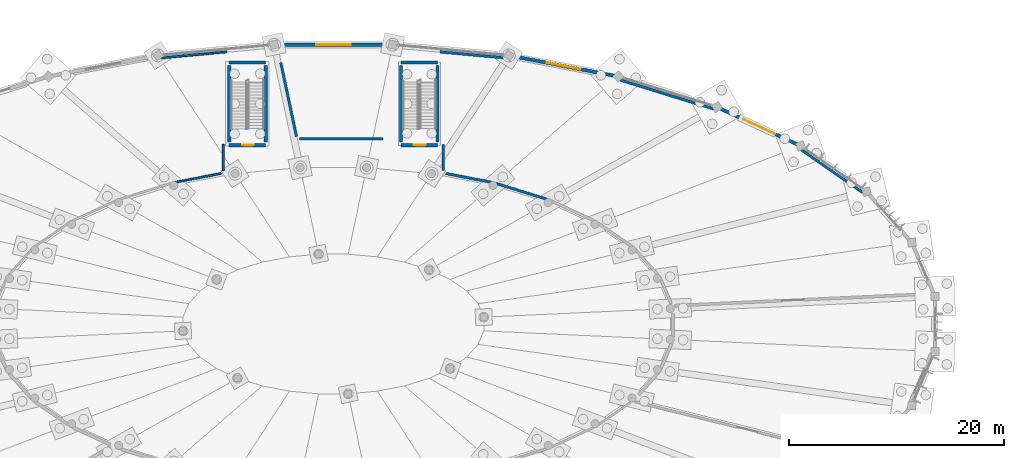
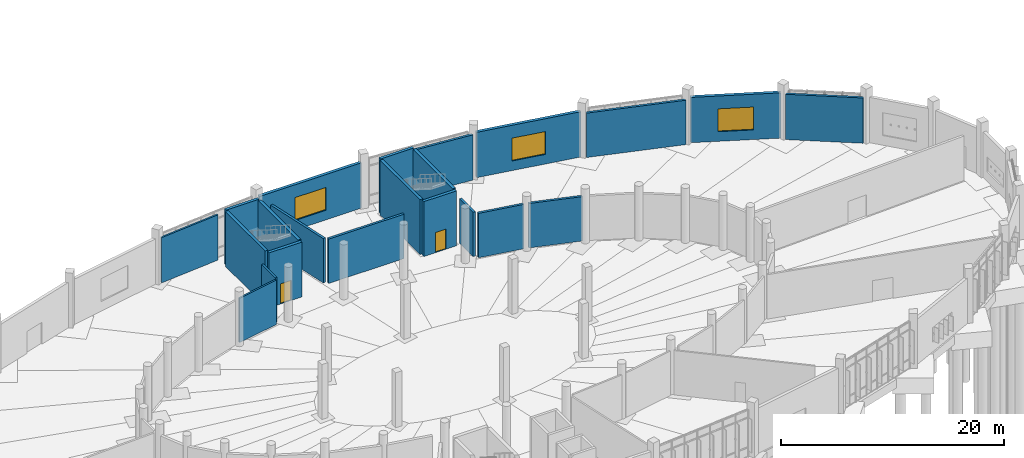
# One storey, part 95 of 140: 22 walls, 3 windows, 2 doors, 5 openings.
"""IFC4 building model written with IfcOpenShell, lengths in metres."""

import ifcopenshell
import ifcopenshell.guid

model = None  # the IFC model being written
_history = None  # IfcOwnerHistory: only IFC2X3 demands one
_inside = {}  # id of a spatial element -> (the spatial element, [elements in it])
_under = {}  # id of a project, library or spatial element -> (it, [spatial elements below it])
_declared = {}  # id of a project -> (the project, [libraries it declares])
_typed = {}  # id of a type object -> (the type object, [elements of that type])
_made_of = {}  # id of a material, layer set ... -> (it, [elements and type objects made of it])


def new_model(schema):
    """Start an empty IFC model of exactly this schema.

    Asked for "IFC4X3", IfcOpenShell would pick the latest addendum, in which some entities
    have other attributes; the version numbers below select the first issue.
    IFC2X3 requires an IfcOwnerHistory on every rooted entity: one is made here for all.
    """
    global model, _history
    if schema == "IFC4X3":
        model = ifcopenshell.file(schema_version=(4, 3, 0, 0))
    else:
        model = ifcopenshell.file(schema=schema)
    _inside.clear()
    _under.clear()
    _declared.clear()
    _typed.clear()
    _made_of.clear()
    _history = None
    if model.schema == "IFC2X3":
        org = make("IfcOrganization", Name="unknown")
        user = make(
            "IfcPersonAndOrganization",
            ThePerson=make("IfcPerson", FamilyName="unknown"),
            TheOrganization=org,
        )
        app = make(
            "IfcApplication",
            ApplicationDeveloper=org,
            Version="unknown",
            ApplicationFullName="unknown",
            ApplicationIdentifier="unknown",
        )
        _history = make(
            "IfcOwnerHistory",
            OwningUser=user,
            OwningApplication=app,
            ChangeAction="ADDED",
            CreationDate=0,
        )
    return model


def make(cls, **values):
    """One entity of the class cls with the attributes given. An attribute that is None is left unset."""
    return model.create_entity(
        cls, **{name: value for name, value in values.items() if value is not None}
    )


def rooted(cls, **values):
    """An entity with a GlobalId (a new one), such as an element, a storey or a relation."""
    return make(cls, GlobalId=ifcopenshell.guid.new(), OwnerHistory=_history, **values)


def si_unit(unit_type, name, prefix=None):
    """IfcSIUnit, for example si_unit("LENGTHUNIT", "METRE", prefix="MILLI")."""
    return make("IfcSIUnit", UnitType=unit_type, Prefix=prefix, Name=name)


def assignment(units):
    """IfcUnitAssignment: the units of a project."""
    return None if units is None else make("IfcUnitAssignment", Units=units)


def point(xyz):
    """IfcCartesianPoint."""
    return None if xyz is None else make("IfcCartesianPoint", Coordinates=xyz)


def direction(xyz):
    """IfcDirection."""
    return None if xyz is None else make("IfcDirection", DirectionRatios=xyz)


def frame(location, z_axis=None, x_axis=None):
    """IfcAxis2Placement3D, a coordinate frame: its origin and axes. An axis left out is left unset."""
    return make(
        "IfcAxis2Placement3D",
        Location=point(location),
        Axis=direction(z_axis),
        RefDirection=direction(x_axis),
    )


def frame_2d(location, x_axis=None):
    """IfcAxis2Placement2D, a coordinate frame in the plane: its origin and x axis."""
    return make(
        "IfcAxis2Placement2D", Location=point(location), RefDirection=direction(x_axis)
    )


def origin():
    """The frame at (0, 0, 0) with its axes left unset."""
    return frame((0.0, 0.0, 0.0))


def place(relative_to, where):
    """IfcLocalPlacement: puts the frame where relative to a parent placement (None: the world)."""
    return make(
        "IfcLocalPlacement", PlacementRelTo=relative_to, RelativePlacement=where
    )


def context(
    kind, dimensions, precision=None, world=None, true_north=None, identifier=None
):
    """IfcGeometricRepresentationContext, for example the 3D "Model" context."""
    return make(
        "IfcGeometricRepresentationContext",
        ContextIdentifier=identifier,
        ContextType=kind,
        CoordinateSpaceDimension=dimensions,
        Precision=precision,
        WorldCoordinateSystem=world,
        TrueNorth=true_north,
    )


def subcontext(parent, identifier, kind, view, scale=None):
    """IfcGeometricRepresentationSubContext, for example "Body" below "Model"."""
    return make(
        "IfcGeometricRepresentationSubContext",
        ContextIdentifier=identifier,
        ContextType=kind,
        ParentContext=parent,
        TargetScale=scale,
        TargetView=view,
    )


def project(units=None, contexts=None):
    """IfcProject with its units and contexts."""
    return rooted(
        "IfcProject",
        Name="project",
        RepresentationContexts=contexts,
        UnitsInContext=assignment(units),
    )


def spatial(cls, under=None, at=None, **own):
    """A site, building, storey or space (cls), placed at a placement, below another one or the project."""
    s = rooted(cls, ObjectPlacement=at, **own)
    if under is not None:
        _under.setdefault(under.id(), (under, []))[1].append(s)
    return s


def profile(cls, at=None, kind="AREA", **sizes):
    """A parametric profile (cls). Its sizes go by their IFC names, for example OverallWidth=200.0."""
    return make(cls, ProfileType=kind, Position=at, **sizes)


def rectangle(**sizes):
    """IfcRectangleProfileDef."""
    return profile("IfcRectangleProfileDef", **sizes)


def extrude(swept, where, along, depth):
    """IfcExtrudedAreaSolid: the profile swept, set in the frame where, extruded along a direction by depth."""
    return make(
        "IfcExtrudedAreaSolid",
        SweptArea=swept,
        Position=where,
        ExtrudedDirection=direction(along),
        Depth=depth,
    )


def shape(context_of_items, identifier, shape_type, items):
    """IfcShapeRepresentation: the items that make up one representation, for example the "Body"."""
    return make(
        "IfcShapeRepresentation",
        ContextOfItems=context_of_items,
        RepresentationIdentifier=identifier,
        RepresentationType=shape_type,
        Items=items,
    )


def material(Name=None, Category=None):
    """IfcMaterial."""
    return make("IfcMaterial", Name=Name, Category=Category)


def layer(
    of_material, thickness, ventilated=None, Name=None, Category=None, Priority=None
):
    """IfcMaterialLayer: one layer of a wall or slab, of a material (None: an air gap)."""
    return make(
        "IfcMaterialLayer",
        Material=of_material,
        LayerThickness=thickness,
        IsVentilated=ventilated,
        Name=Name,
        Category=Category,
        Priority=Priority,
    )


def layer_set(layers, Name=None):
    """IfcMaterialLayerSet."""
    return make("IfcMaterialLayerSet", MaterialLayers=layers, LayerSetName=Name)


def made_of(thing, what):
    """Note that an element or type object is made of a material, layer set ...; save() writes the relation."""
    if what is not None:
        _made_of.setdefault(what.id(), (what, []))[1].append(thing)
    return thing


def type_object(cls, material=None, **own):
    """A type object (cls), such as IfcWallType, which elements share."""
    return made_of(rooted(cls, **own), material)


def element(
    cls,
    number,
    at=None,
    inside=None,
    cuts=None,
    type_object=None,
    material=None,
    context=None,
    identifier="Body",
    shape_type=None,
    held_by="IfcProductDefinitionShape",
    body=None,
    shapes=None,
    **own,
):
    """One element of the class cls, such as IfcWall. Its Tag is "e" and its number.

    at: its placement. inside: the storey or other place that contains it. cuts: it is an
    opening in that element (IfcRelVoidsElement). A single representation is given by context,
    identifier, shape_type and body (its items); several are given by shapes. held_by: the class
    of the entity that holds the representations. save() writes the other relations.
    """
    e = rooted(cls, Tag="e%d" % number, ObjectPlacement=at, **own)
    if body is not None:
        shapes = [shape(context, identifier, shape_type, body)]
    if shapes is not None:
        e.Representation = make(held_by, Representations=shapes)
    if inside is not None:
        _inside.setdefault(inside.id(), (inside, []))[1].append(e)
    if cuts is not None:
        rooted(
            "IfcRelVoidsElement", RelatingBuildingElement=cuts, RelatedOpeningElement=e
        )
    if type_object is not None:
        _typed.setdefault(type_object.id(), (type_object, []))[1].append(e)
    return made_of(e, material)


def fill(opening, filler):
    """IfcRelFillsElement: the door or window that sits in an opening."""
    return rooted(
        "IfcRelFillsElement",
        RelatingOpeningElement=opening,
        RelatedBuildingElement=filler,
    )


def aggregate(whole, parts):
    """IfcRelAggregates: a whole, such as a stair, and the parts it consists of."""
    return rooted("IfcRelAggregates", RelatingObject=whole, RelatedObjects=parts)


def save(model, path):
    """Write the relations noted so far, then the file.

    IfcRelAggregates (storeys below a building ...), IfcRelContainedInSpatialStructure (elements
    in a storey), IfcRelDefinesByType, IfcRelAssociatesMaterial and IfcRelDeclares: one each for
    every whole, place, type object, material and project.
    """
    for whole, parts in _under.values():
        aggregate(whole, parts)
    for where, things in _inside.values():
        rooted(
            "IfcRelContainedInSpatialStructure",
            RelatedElements=things,
            RelatingStructure=where,
        )
    for kind, things in _typed.values():
        rooted("IfcRelDefinesByType", RelatedObjects=things, RelatingType=kind)
    for what, things in _made_of.values():
        rooted("IfcRelAssociatesMaterial", RelatedObjects=things, RelatingMaterial=what)
    for by, libraries in _declared.values():
        rooted("IfcRelDeclares", RelatingContext=by, RelatedDefinitions=libraries)
    model.write(path)


model = new_model("IFC4")

# Units and contexts
model_context = context("Model", 3, precision=1e-05, world=origin(), true_north=direction((0.0, 1.0)))
body_context = subcontext(model_context, "Body", "Model", "MODEL_VIEW")
ifc_project = project(units=[si_unit("LENGTHUNIT", "METRE"), si_unit("AREAUNIT", "SQUARE_METRE"), si_unit("VOLUMEUNIT", "CUBIC_METRE"), si_unit("PLANEANGLEUNIT", "RADIAN"), si_unit("MASSUNIT", "GRAM", prefix="KILO")], contexts=[model_context])

# Site, building, storey
site_placement = place(None, origin())
site = spatial("IfcSite", under=ifc_project, at=site_placement, CompositionType="ELEMENT")
building_placement = place(site_placement, origin())
building = spatial("IfcBuilding", under=site, at=building_placement, Name="Corvandel Quay Wholesale Market", CompositionType="ELEMENT")
storey_placement = place(building_placement, origin())
storey = spatial("IfcBuildingStorey", under=building, at=storey_placement, Name="L00", CompositionType="ELEMENT", Elevation=0.0)

# Walls
ifc_material_1 = material(Name="Lightweight concrete blockwork", Category="masonry")
ifc_layer_1 = layer(ifc_material_1, 0.239990234375)
ifc_layer_set_1 = layer_set([ifc_layer_1], Name="Lightweight concrete blockwork")
wall_type_1 = type_object("IfcWallType", Name="Fire Compartment Partition PT01 240", PredefinedType="PARTITIONING", material=ifc_layer_set_1)
wall_1_placement = place(storey_placement, frame((133.85791015625, 127.622314453125, 0.0), z_axis=(0.0, 0.0, 1.0), x_axis=(-0.9550549719, 0.296428744641, 0.0)))
element("IfcWall", 1, at=wall_1_placement, inside=storey, type_object=wall_type_1, Name="Interior Wall IW-0565", PredefinedType="PARTITIONING", context=body_context, shape_type="SweptSolid", body=[
    extrude(rectangle(XDim=4.94091796875, YDim=0.239990234375, at=frame_2d((2.470458984375, 0.0))), origin(), (0.0, 0.0, 1.0), 4.85009765625),
])
wall_2_placement = place(storey_placement, frame((128.712890625, 129.193603515625, 0.0), z_axis=(0.0, 0.0, 1.0), x_axis=(-0.981954993589, 0.189114755017, 0.0)))
element("IfcWall", 2, at=wall_2_placement, inside=storey, type_object=wall_type_1, Name="Interior Wall IW-0566", PredefinedType="PARTITIONING", context=body_context, shape_type="SweptSolid", body=[
    extrude(rectangle(XDim=4.3349609375, YDim=0.239990234375, at=frame_2d((2.16748046875, 0.0))), origin(), (0.0, 0.0, 1.0), 4.85009765625),
])
wall_3_placement = place(storey_placement, frame((124.239990234375, 130.27490234375, 0.0), z_axis=(0.0, 0.0, 1.0), x_axis=(-0.000698951402, 0.999999755733, 0.0)))
element("IfcWall", 3, at=wall_3_placement, inside=storey, type_object=wall_type_1, Name="Interior Wall IW-0567", PredefinedType="PARTITIONING", context=body_context, shape_type="SweptSolid", body=[
    extrude(rectangle(XDim=2.445068359375, YDim=0.239990234375, at=frame_2d((1.22265625, 0.0))), origin(), (0.0, 0.0, 1.0), 4.85009765625),
])
wall_4_placement = place(storey_placement, frame((118.6298828125, 133.239990234375, 0.0), z_axis=(0.0, 0.0, 1.0), x_axis=(-1.0, 0.0, 0.0)))
element("IfcWall", 4, at=wall_4_placement, inside=storey, type_object=wall_type_1, Name="Interior Wall IW-0568", PredefinedType="PARTITIONING", context=body_context, shape_type="SweptSolid", body=[
    extrude(rectangle(XDim=7.802001953125, YDim=0.239990234375, at=frame_2d((3.90087890625, 0.0))), origin(), (0.0, 0.0, 1.0), 4.85009765625),
])
wall_5_placement = place(storey_placement, frame((110.562255859375, 133.455078125, 0.0), z_axis=(0.0, 0.0, 1.0), x_axis=(-0.207492128218, 0.978236687478, 0.0)))
element("IfcWall", 5, at=wall_5_placement, inside=storey, type_object=wall_type_1, Name="Interior Wall IW-0569", PredefinedType="PARTITIONING", context=body_context, shape_type="SweptSolid", body=[
    extrude(rectangle(XDim=7.03271484375, YDim=0.239990234375, at=frame_2d((3.516357421875, 0.0))), origin(), (0.0, 0.0, 1.0), 4.85009765625),
])
wall_6_placement = place(storey_placement, frame((123.919189453125, 141.332275390625, 0.0), z_axis=(0.0, 0.0, 1.0), x_axis=(0.995759173122, -0.091998201845, 0.0)))
element("IfcWall", 6, at=wall_6_placement, inside=storey, type_object=wall_type_1, Name="Interior Wall IW-0570", PredefinedType="PARTITIONING", context=body_context, shape_type="SweptSolid", body=[
    extrude(rectangle(XDim=6.185791015625, YDim=0.239990234375, at=frame_2d((3.0927734375, 0.0))), origin(), (0.0, 0.0, 1.0), 4.949951171875),
])
wall_7_placement = place(storey_placement, frame((140.673095703125, 138.722900390625, 0.0), z_axis=(0.0, 0.0, 1.0), x_axis=(0.955121019575, -0.296215863798, 0.0)))
element("IfcWall", 7, at=wall_7_placement, inside=storey, type_object=wall_type_1, Name="Interior Wall IW-0571", PredefinedType="PARTITIONING", context=body_context, shape_type="SweptSolid", body=[
    extrude(rectangle(XDim=9.13037109375, YDim=0.239990234375, at=frame_2d((4.565185546875, 0.0))), origin(), (0.0, 0.0, 1.0), 4.85009765625),
])
wall_8_placement = place(storey_placement, frame((157.548583984375, 132.222412109375, 0.0), z_axis=(0.0, 0.0, 1.0), x_axis=(0.821231355214, -0.570595356811, 0.0)))
element("IfcWall", 8, at=wall_8_placement, inside=storey, type_object=wall_type_1, Name="Interior Wall IW-0572", PredefinedType="PARTITIONING", context=body_context, shape_type="SweptSolid", body=[
    extrude(rectangle(XDim=6.969482421875, YDim=0.239990234375, at=frame_2d((3.48486328125, 0.0))), origin(), (0.0, 0.0, 1.0), 4.949951171875),
])

# Wall, opening, window
ifc_material_2 = material(Name="Marine precast concrete C45/55", Category="concrete")
ifc_layer_2 = layer(ifc_material_2, 0.31005859375)
ifc_layer_set_2 = layer_set([ifc_layer_2], Name="Marine precast concrete C45/55")
wall_type_2 = type_object("IfcWallType", Name="Fish Hall Marine Precast Wall EW06 310", PredefinedType="SOLIDWALL", material=ifc_layer_set_2)
wall_9_placement = place(storey_placement, frame((157.2802734375, 132.675048828125, 0.0), z_axis=(0.0, 0.0, 1.0), x_axis=(-0.906976563178, 0.421181093884, 0.0)))
wall_9 = element("IfcWall", 9, at=wall_9_placement, inside=storey, type_object=wall_type_2, Name="Exterior Wall EW-0096", PredefinedType="SOLIDWALL", context=body_context, shape_type="SweptSolid", body=[
    extrude(rectangle(XDim=8.119873046875, YDim=0.31005859375, at=frame_2d((4.06005859375, 0.0))), origin(), (0.0, 0.0, 1.0), 4.949951171875),
])
opening_1_placement = place(wall_9_placement, frame((2.4599609375, 0.0, 1.050048828125)))
opening_1 = element("IfcOpeningElement", 10, at=opening_1_placement, cuts=wall_9, Name="Opening L00-W053", PredefinedType="OPENING", context=body_context, shape_type="SweptSolid", body=[
    extrude(rectangle(XDim=3.199951171875, YDim=2.5, at=frame_2d((1.60009765625, 1.25))), frame((0.0, 0.1650390625, 0.0), z_axis=(0.0, -1.0, 0.0), x_axis=(1.0, 0.0, 0.0)), (0.0, 0.0, 1.0), 0.330078125),
])
ifc_material_3 = material(Name="Thermally broken bronze anodised aluminium and solar-control low-E double glazing", Category="aluminium")
window_type = type_object("IfcWindowType", Name="Flower Market Display Window WN07 3200x2500", PartitioningType="SINGLE_PANEL", PredefinedType="WINDOW", material=ifc_material_3)
window_1_placement = place(opening_1_placement, origin())
window_1 = element("IfcWindow", 11, at=window_1_placement, inside=storey, type_object=window_type, Name="Window L00-W053", OverallHeight=2.5, OverallWidth=3.199951171875, PartitioningType="SINGLE_PANEL", PredefinedType="WINDOW", context=body_context, shape_type="SweptSolid", body=[
    extrude(rectangle(XDim=3.199951171875, YDim=2.5, at=frame_2d((1.60009765625, 1.25))), frame((0.0, 0.030029296875, 0.0), z_axis=(0.0, -1.0, 0.0), x_axis=(1.0, 0.0, 0.0)), (0.0, 0.0, 1.0), 0.06005859375),
])
fill(opening_1, window_1)

wall_10_placement = place(storey_placement, frame((140.290283203125, 139.086181640625, 0.0), z_axis=(0.0, 0.0, 1.0), x_axis=(-0.981997121081, 0.188895881873, 0.0)))
wall_10 = element("IfcWall", 12, at=wall_10_placement, inside=storey, type_object=wall_type_2, Name="Exterior Wall EW-0100", PredefinedType="SOLIDWALL", context=body_context, shape_type="SweptSolid", body=[
    extrude(rectangle(XDim=9.897705078125, YDim=0.31005859375, at=frame_2d((4.94873046875, 0.0))), origin(), (0.0, 0.0, 1.0), 4.949951171875),
])
opening_2_placement = place(wall_10_placement, frame((3.34912109375, 0.0, 1.050048828125)))
opening_2 = element("IfcOpeningElement", 13, at=opening_2_placement, cuts=wall_10, Name="Opening L00-W054", PredefinedType="OPENING", context=body_context, shape_type="SweptSolid", body=[
    extrude(rectangle(XDim=3.199951171875, YDim=2.5, at=frame_2d((1.60009765625, 1.25))), frame((0.0, 0.1650390625, 0.0), z_axis=(0.0, -1.0, 0.0), x_axis=(1.0, 0.0, 0.0)), (0.0, 0.0, 1.0), 0.330078125),
])
window_2_placement = place(opening_2_placement, origin())
window_2 = element("IfcWindow", 14, at=window_2_placement, inside=storey, type_object=window_type, Name="Window L00-W054", OverallHeight=2.5, OverallWidth=3.199951171875, PartitioningType="SINGLE_PANEL", PredefinedType="WINDOW", context=body_context, shape_type="SweptSolid", body=[
    extrude(rectangle(XDim=3.199951171875, YDim=2.5, at=frame_2d((1.60009765625, 1.25))), frame((0.0, 0.030029296875, 0.0), z_axis=(0.0, -1.0, 0.0), x_axis=(1.0, 0.0, 0.0)), (0.0, 0.0, 1.0), 0.06005859375),
])
fill(opening_2, window_2)

wall_11_placement = place(storey_placement, frame((119.27587890625, 142.0, 0.0), z_axis=(0.0, 0.0, 1.0), x_axis=(-1.0, 0.0, 0.0)))
wall_11 = element("IfcWall", 15, at=wall_11_placement, inside=storey, type_object=wall_type_2, Name="Exterior Wall EW-0104", PredefinedType="SOLIDWALL", context=body_context, shape_type="SweptSolid", body=[
    extrude(rectangle(XDim=10.5517578125, YDim=0.31005859375, at=frame_2d((5.27587890625, 0.0))), origin(), (0.0, 0.0, 1.0), 4.949951171875),
])
opening_3_placement = place(wall_11_placement, frame((3.676025390625, 0.0, 1.050048828125)))
opening_3 = element("IfcOpeningElement", 16, at=opening_3_placement, cuts=wall_11, Name="Opening L00-W055", PredefinedType="OPENING", context=body_context, shape_type="SweptSolid", body=[
    extrude(rectangle(XDim=3.199951171875, YDim=2.5, at=frame_2d((1.60009765625, 1.25))), frame((0.0, 0.1650390625, 0.0), z_axis=(0.0, -1.0, 0.0), x_axis=(1.0, 0.0, 0.0)), (0.0, 0.0, 1.0), 0.330078125),
])
window_3_placement = place(opening_3_placement, origin())
window_3 = element("IfcWindow", 17, at=window_3_placement, inside=storey, type_object=window_type, Name="Window L00-W055", OverallHeight=2.5, OverallWidth=3.199951171875, PartitioningType="SINGLE_PANEL", PredefinedType="WINDOW", context=body_context, shape_type="SweptSolid", body=[
    extrude(rectangle(XDim=3.199951171875, YDim=2.5, at=frame_2d((1.60009765625, 1.25))), frame((0.0, 0.030029296875, 0.0), z_axis=(0.0, -1.0, 0.0), x_axis=(1.0, 0.0, 0.0)), (0.0, 0.0, 1.0), 0.06005859375),
])
fill(opening_3, window_3)

# Walls
ifc_material_4 = material(Name="FRP-faced cementitious board stud wall")
ifc_layer_3 = layer(ifc_material_4, 0.179931640625)
ifc_layer_set_3 = layer_set([ifc_layer_3], Name="FRP-faced cementitious board stud wall")
wall_type_3 = type_object("IfcWallType", Name="Hygienic Washdown Partition PT05 180", PredefinedType="PARTITIONING", material=ifc_layer_set_3)
wall_12_placement = place(storey_placement, frame((97.921142578125, 140.76318359375, 0.0), z_axis=(0.0, 0.0, 1.0), x_axis=(0.995759173122, 0.091998201845, 0.0)))
element("IfcWall", 18, at=wall_12_placement, inside=storey, type_object=wall_type_3, Name="Interior Wall IW-0576", PredefinedType="PARTITIONING", context=body_context, shape_type="SweptSolid", body=[
    extrude(rectangle(XDim=6.185791015625, YDim=0.179931640625, at=frame_2d((3.0927734375, 0.0))), origin(), (0.0, 0.0, 1.0), 4.949951171875),
])
wall_13_placement = place(storey_placement, frame((103.76171875, 132.719970703125, 0.0), z_axis=(0.0, 0.0, 1.0), x_axis=(-0.000698951402, -0.999999755733, 0.0)))
element("IfcWall", 19, at=wall_13_placement, inside=storey, type_object=wall_type_3, Name="Interior Wall IW-0577", PredefinedType="PARTITIONING", context=body_context, shape_type="SweptSolid", body=[
    extrude(rectangle(XDim=2.445068359375, YDim=0.179931640625, at=frame_2d((1.22265625, 0.0))), origin(), (0.0, 0.0, 1.0), 4.85009765625),
])
wall_14_placement = place(storey_placement, frame((103.5439453125, 130.013427734375, 0.0), z_axis=(0.0, 0.0, 1.0), x_axis=(-0.981954993589, -0.189114755017, 0.0)))
element("IfcWall", 20, at=wall_14_placement, inside=storey, type_object=wall_type_3, Name="Interior Wall IW-0578", PredefinedType="PARTITIONING", context=body_context, shape_type="SweptSolid", body=[
    extrude(rectangle(XDim=4.3349609375, YDim=0.179931640625, at=frame_2d((2.16748046875, 0.0))), origin(), (0.0, 0.0, 1.0), 4.85009765625),
])

# Wall, opening, door
ifc_material_5 = material(Name="Concrete C40/50", Category="concrete")
ifc_layer_4 = layer(ifc_material_5, 0.300048828125)
ifc_layer_set_4 = layer_set([ifc_layer_4], Name="Concrete C40/50")
wall_type_4 = type_object("IfcWallType", Name="Stair Shaft Shear Wall SW02 300", PredefinedType="SHEAR", material=ifc_layer_set_4)
wall_15_placement = place(storey_placement, frame((104.300048828125, 132.64990234375, 0.0), z_axis=(0.0, 0.0, 1.0), x_axis=(1.0, 0.0, 0.0)))
wall_15 = element("IfcWall", 21, at=wall_15_placement, inside=storey, type_object=wall_type_4, Name="Shear Wall IW-0061", PredefinedType="SHEAR", context=body_context, shape_type="SweptSolid", body=[
    extrude(rectangle(XDim=3.39990234375, YDim=0.300048828125, at=frame_2d((1.699951171875, 0.0))), origin(), (0.0, 0.0, 1.0), 6.0),
])
opening_4_placement = place(wall_15_placement, frame((1.199951171875, 0.0, 0.0)))
opening_4 = element("IfcOpeningElement", 22, at=opening_4_placement, cuts=wall_15, Name="Opening L00-D061", PredefinedType="OPENING", context=body_context, shape_type="SweptSolid", body=[
    extrude(rectangle(XDim=1.10009765625, YDim=2.199951171875, at=frame_2d((0.550048828125, 1.10009765625))), frame((0.0, 0.159912109375, 0.0), z_axis=(0.0, -1.0, 0.0), x_axis=(1.0, 0.0, 0.0)), (0.0, 0.0, 1.0), 0.320068359375),
])
ifc_material_6 = material(Name="Galvanised fire-rated hollow steel", Category="steel")
door_type = type_object("IfcDoorType", Name="Exit Stair Fire Door ID02 1100x2200R", OperationType="SINGLE_SWING_RIGHT", PredefinedType="DOOR", material=ifc_material_6)
door_1_placement = place(opening_4_placement, origin())
door_1 = element("IfcDoor", 23, at=door_1_placement, inside=storey, type_object=door_type, Name="Exit Stair Door SH06-L00", OperationType="SINGLE_SWING_RIGHT", OverallHeight=2.199951171875, OverallWidth=1.10009765625, PredefinedType="DOOR", context=body_context, shape_type="SweptSolid", body=[
    extrude(rectangle(XDim=1.10009765625, YDim=2.199951171875, at=frame_2d((0.550048828125, 1.10009765625))), frame((0.0, 0.02490234375, 0.0), z_axis=(0.0, -1.0, 0.0), x_axis=(1.0, 0.0, 0.0)), (0.0, 0.0, 1.0), 0.050048828125),
])
fill(opening_4, door_1)

# Walls
wall_16_placement = place(storey_placement, frame((104.300048828125, 140.35009765625, 0.0), z_axis=(0.0, 0.0, 1.0), x_axis=(1.0, 0.0, 0.0)))
element("IfcWall", 24, at=wall_16_placement, inside=storey, type_object=wall_type_4, Name="Shear Wall IW-0062", PredefinedType="SHEAR", context=body_context, shape_type="SweptSolid", body=[
    extrude(rectangle(XDim=3.39990234375, YDim=0.300048828125, at=frame_2d((1.699951171875, 0.0))), origin(), (0.0, 0.0, 1.0), 6.0),
])
for number, where, z_axis, x_axis, name in (
    (25, (104.300048828125, 132.93994140625, 0.0), (0.0, 0.0, 1.0), (0.0, 1.0, 0.0), "Shear Wall IW-0063"),
    (26, (107.699951171875, 132.93994140625, 0.0), (0.0, 0.0, 1.0), (0.0, 1.0, 0.0), "Shear Wall IW-0064"),
):
    element("IfcWall", number, at=place(storey_placement, frame(where, z_axis=z_axis, x_axis=x_axis)), inside=storey, type_object=wall_type_4, Name=name, PredefinedType="SHEAR", context=body_context, shape_type="SweptSolid", body=[
        extrude(rectangle(XDim=7.1201171875, YDim=0.300048828125, at=frame_2d((3.56005859375, 0.0))), origin(), (0.0, 0.0, 1.0), 6.0),
    ])

# Wall, opening, door
wall_17_placement = place(storey_placement, frame((120.300048828125, 132.64990234375, 0.0), z_axis=(0.0, 0.0, 1.0), x_axis=(1.0, 0.0, 0.0)))
wall_17 = element("IfcWall", 27, at=wall_17_placement, inside=storey, type_object=wall_type_4, Name="Shear Wall IW-0069", PredefinedType="SHEAR", context=body_context, shape_type="SweptSolid", body=[
    extrude(rectangle(XDim=3.39990234375, YDim=0.300048828125, at=frame_2d((1.699951171875, 0.0))), origin(), (0.0, 0.0, 1.0), 6.0),
])
opening_5_placement = place(wall_17_placement, frame((1.199951171875, 0.0, 0.0)))
opening_5 = element("IfcOpeningElement", 28, at=opening_5_placement, cuts=wall_17, Name="Opening L00-D062", PredefinedType="OPENING", context=body_context, shape_type="SweptSolid", body=[
    extrude(rectangle(XDim=1.10009765625, YDim=2.199951171875, at=frame_2d((0.550048828125, 1.10009765625))), frame((0.0, 0.159912109375, 0.0), z_axis=(0.0, -1.0, 0.0), x_axis=(1.0, 0.0, 0.0)), (0.0, 0.0, 1.0), 0.320068359375),
])
door_2_placement = place(opening_5_placement, origin())
door_2 = element("IfcDoor", 29, at=door_2_placement, inside=storey, type_object=door_type, Name="Exit Stair Door SH07-L00", OperationType="SINGLE_SWING_RIGHT", OverallHeight=2.199951171875, OverallWidth=1.10009765625, PredefinedType="DOOR", context=body_context, shape_type="SweptSolid", body=[
    extrude(rectangle(XDim=1.10009765625, YDim=2.199951171875, at=frame_2d((0.550048828125, 1.10009765625))), frame((0.0, 0.02490234375, 0.0), z_axis=(0.0, -1.0, 0.0), x_axis=(1.0, 0.0, 0.0)), (0.0, 0.0, 1.0), 0.050048828125),
])
fill(opening_5, door_2)

# Walls
wall_18_placement = place(storey_placement, frame((120.300048828125, 140.35009765625, 0.0), z_axis=(0.0, 0.0, 1.0), x_axis=(1.0, 0.0, 0.0)))
element("IfcWall", 30, at=wall_18_placement, inside=storey, type_object=wall_type_4, Name="Shear Wall IW-0070", PredefinedType="SHEAR", context=body_context, shape_type="SweptSolid", body=[
    extrude(rectangle(XDim=3.39990234375, YDim=0.300048828125, at=frame_2d((1.699951171875, 0.0))), origin(), (0.0, 0.0, 1.0), 6.0),
])
for number, where, z_axis, x_axis, name in (
    (31, (120.300048828125, 132.93994140625, 0.0), (0.0, 0.0, 1.0), (0.0, 1.0, 0.0), "Shear Wall IW-0071"),
    (32, (123.699951171875, 132.93994140625, 0.0), (0.0, 0.0, 1.0), (0.0, 1.0, 0.0), "Shear Wall IW-0072"),
):
    element("IfcWall", number, at=place(storey_placement, frame(where, z_axis=z_axis, x_axis=x_axis)), inside=storey, type_object=wall_type_4, Name=name, PredefinedType="SHEAR", context=body_context, shape_type="SweptSolid", body=[
        extrude(rectangle(XDim=7.1201171875, YDim=0.300048828125, at=frame_2d((3.56005859375, 0.0))), origin(), (0.0, 0.0, 1.0), 6.0),
    ])

save(model, "model.ifc")
